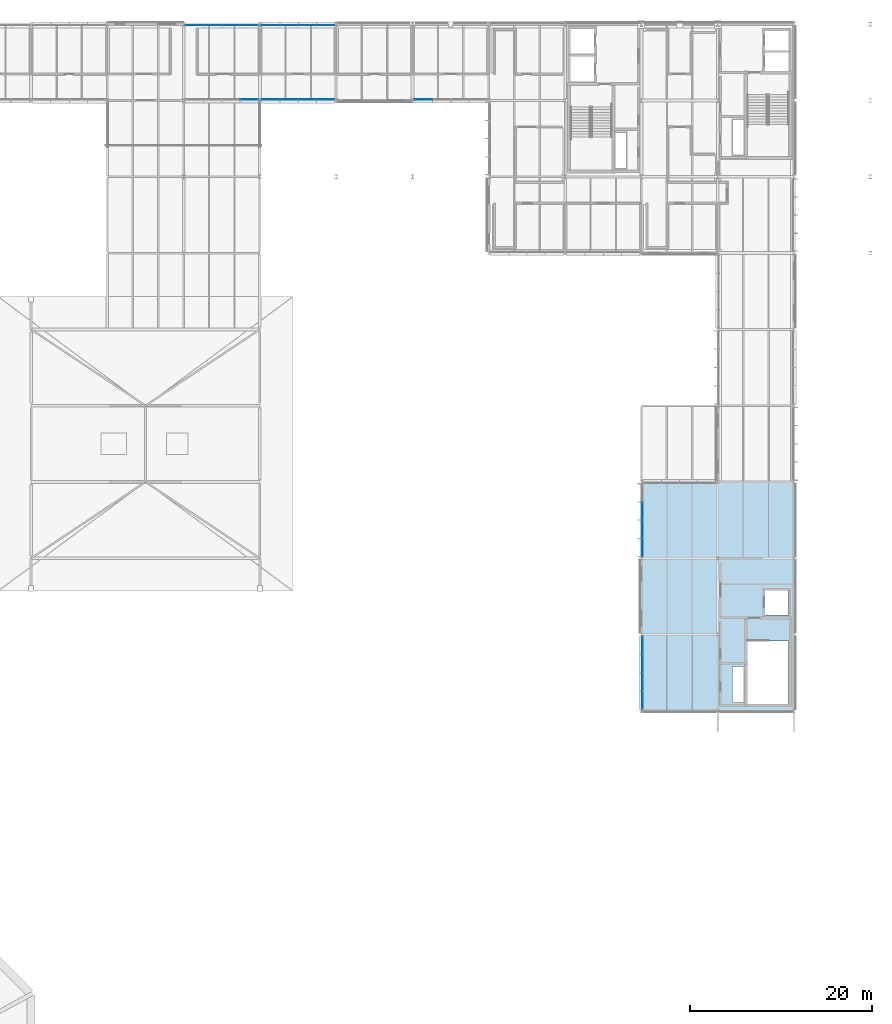
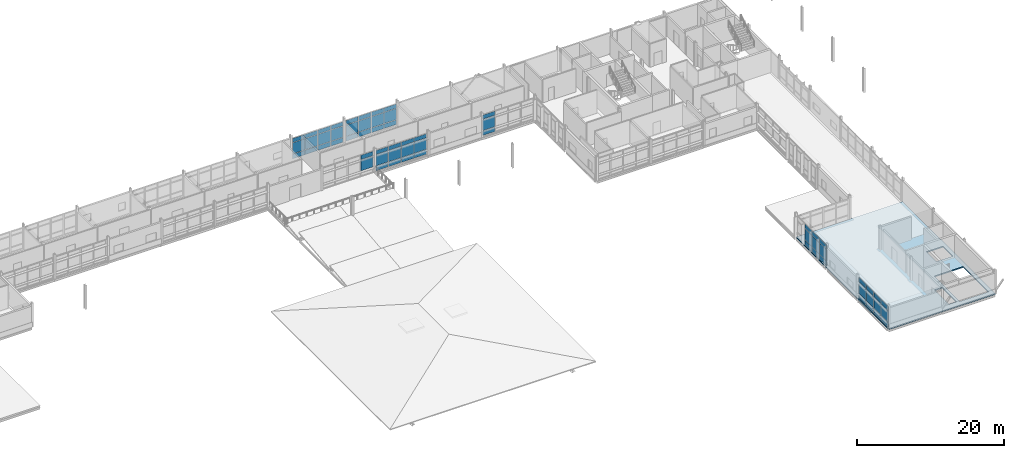
# One storey, part 47 of 66: 62 plates, 1 slab, 7 elements without a shape of their own.
"""IFC4 building model written with IfcOpenShell, lengths in metres."""

from ifc_helpers import new_model, si_unit, direction, frame, origin, origin_2d, place, context, subcontext, project, spatial, polyline, rectangle, outline, extrude, material, layer, layer_set, type_object, element, aggregate, save


model = new_model("IFC4")

# Units and contexts
model_context = context("Model", 3, precision=1e-05, world=origin(), true_north=direction((0.0, 1.0)))
body_context = subcontext(model_context, "Body", "Model", "MODEL_VIEW")
ifc_project = project(units=[si_unit("LENGTHUNIT", "METRE"), si_unit("AREAUNIT", "SQUARE_METRE"), si_unit("VOLUMEUNIT", "CUBIC_METRE"), si_unit("PLANEANGLEUNIT", "RADIAN"), si_unit("MASSUNIT", "GRAM", prefix="KILO")], contexts=[model_context])

# Site, building, storey
site_placement = place(None, origin())
site = spatial("IfcSite", under=ifc_project, at=site_placement, CompositionType="ELEMENT")
building_placement = place(site_placement, origin())
building = spatial("IfcBuilding", under=site, at=building_placement, Name="Mersafa Astral City Hall", CompositionType="ELEMENT")
storey_placement = place(building_placement, frame((0.0, 0.0, 22.050048828125)))
storey = spatial("IfcBuildingStorey", under=building, at=storey_placement, Name="L05", CompositionType="ELEMENT", Elevation=22.050048828125)

# Curtain wall, plates
ifc_material_1 = material(Name="Anodised bronze aluminium framing", Category="aluminium")
curtain_wall_type_1 = type_object("IfcCurtainWallType", Name="ENV-CW-1", PredefinedType="USERDEFINED", material=ifc_material_1)
curtain_wall_1_placement = place(storey_placement, origin())
curtain_wall_1 = element("IfcCurtainWall", 1, at=curtain_wall_1_placement, inside=storey, type_object=curtain_wall_type_1, Name="L05 Unitised solar curtain wall 240", ObjectType="UNITISED CURTAIN WALL", PredefinedType="USERDEFINED")
ifc_material_2 = material(Name="Solar control low-e double glazing", Category="glass")
ifc_layer_1 = layer(ifc_material_2, 0.028076171875, Name="Solar control low-e double glazing")
ifc_layer_set_1 = layer_set([ifc_layer_1], Name="Solar control low-e double glazing — ENV-CW-PNL-GLZ-1")
plate_type_1 = type_object("IfcPlateType", Name="ENV-CW-PNL-GLZ-1", PredefinedType="CURTAIN_PANEL", material=ifc_layer_set_1)
plate_1_placement = place(storey_placement, frame((118.78662109375, 117.719970703125, 0.05810546875), z_axis=(0.0, 0.0, 1.0), x_axis=(1.0, 0.0, 0.0)))
plate_1 = element("IfcPlate", 2, at=plate_1_placement, type_object=plate_type_1, Name="CW-1 panel 1.1", PredefinedType="CURTAIN_PANEL", context=body_context, shape_type="SweptSolid", body=[
    extrude(rectangle(XDim=1.928955078125, YDim=0.028076171875, at=origin_2d()), origin(), (0.0, 0.0, 1.0), 0.761962890625),
])
plate_2_placement = place(storey_placement, frame((118.78662109375, 117.719970703125, 0.8798828125), z_axis=(0.0, 0.0, 1.0), x_axis=(1.0, 0.0, 0.0)))
plate_2 = element("IfcPlate", 3, at=plate_2_placement, type_object=plate_type_1, Name="CW-1 panel 1.2", PredefinedType="CURTAIN_PANEL", context=body_context, shape_type="SweptSolid", body=[
    extrude(rectangle(XDim=1.928955078125, YDim=0.028076171875, at=origin_2d()), origin(), (0.0, 0.0, 1.0), 1.840087890625),
])
plate_3_placement = place(storey_placement, frame((118.78662109375, 117.719970703125, 2.77978515625), z_axis=(0.0, 0.0, 1.0), x_axis=(1.0, 0.0, 0.0)))
plate_3 = element("IfcPlate", 4, at=plate_3_placement, type_object=plate_type_1, Name="CW-1 panel 1.3", PredefinedType="CURTAIN_PANEL", context=body_context, shape_type="SweptSolid", body=[
    extrude(rectangle(XDim=1.928955078125, YDim=0.028076171875, at=origin_2d()), origin(), (0.0, 0.0, 1.0), 0.672119140625),
])
plate_4_placement = place(storey_placement, frame((120.79052734375, 117.719970703125, 0.05810546875), z_axis=(0.0, 0.0, 1.0), x_axis=(1.0, 0.0, 0.0)))
plate_4 = element("IfcPlate", 5, at=plate_4_placement, type_object=plate_type_1, Name="CW-1 panel 2.1", PredefinedType="CURTAIN_PANEL", context=body_context, shape_type="SweptSolid", body=[
    extrude(rectangle(XDim=1.958984375, YDim=0.028076171875, at=origin_2d()), origin(), (0.0, 0.0, 1.0), 0.761962890625),
])
plate_5_placement = place(storey_placement, frame((120.79052734375, 117.719970703125, 0.8798828125), z_axis=(0.0, 0.0, 1.0), x_axis=(1.0, 0.0, 0.0)))
plate_5 = element("IfcPlate", 6, at=plate_5_placement, type_object=plate_type_1, Name="CW-1 panel 2.2", PredefinedType="CURTAIN_PANEL", context=body_context, shape_type="SweptSolid", body=[
    extrude(rectangle(XDim=1.958984375, YDim=0.028076171875, at=origin_2d()), origin(), (0.0, 0.0, 1.0), 1.840087890625),
])
plate_6_placement = place(storey_placement, frame((120.79052734375, 117.719970703125, 2.77978515625), z_axis=(0.0, 0.0, 1.0), x_axis=(1.0, 0.0, 0.0)))
plate_6 = element("IfcPlate", 7, at=plate_6_placement, type_object=plate_type_1, Name="CW-1 panel 2.3", PredefinedType="CURTAIN_PANEL", context=body_context, shape_type="SweptSolid", body=[
    extrude(rectangle(XDim=1.958984375, YDim=0.028076171875, at=origin_2d()), origin(), (0.0, 0.0, 1.0), 0.672119140625),
])
plate_7_placement = place(storey_placement, frame((122.8095703125, 117.719970703125, 0.05810546875), z_axis=(0.0, 0.0, 1.0), x_axis=(1.0, 0.0, 0.0)))
plate_7 = element("IfcPlate", 8, at=plate_7_placement, type_object=plate_type_1, Name="CW-1 panel 3.1", PredefinedType="CURTAIN_PANEL", context=body_context, shape_type="SweptSolid", body=[
    extrude(rectangle(XDim=1.958984375, YDim=0.028076171875, at=origin_2d()), origin(), (0.0, 0.0, 1.0), 0.761962890625),
])
plate_8_placement = place(storey_placement, frame((122.8095703125, 117.719970703125, 0.8798828125), z_axis=(0.0, 0.0, 1.0), x_axis=(1.0, 0.0, 0.0)))
plate_8 = element("IfcPlate", 9, at=plate_8_placement, type_object=plate_type_1, Name="CW-1 panel 3.2", PredefinedType="CURTAIN_PANEL", context=body_context, shape_type="SweptSolid", body=[
    extrude(rectangle(XDim=1.958984375, YDim=0.028076171875, at=origin_2d()), origin(), (0.0, 0.0, 1.0), 1.840087890625),
])
plate_9_placement = place(storey_placement, frame((122.8095703125, 117.719970703125, 2.77978515625), z_axis=(0.0, 0.0, 1.0), x_axis=(1.0, 0.0, 0.0)))
plate_9 = element("IfcPlate", 10, at=plate_9_placement, type_object=plate_type_1, Name="CW-1 panel 3.3", PredefinedType="CURTAIN_PANEL", context=body_context, shape_type="SweptSolid", body=[
    extrude(rectangle(XDim=1.958984375, YDim=0.028076171875, at=origin_2d()), origin(), (0.0, 0.0, 1.0), 0.672119140625),
])
plate_10_placement = place(storey_placement, frame((124.8134765625, 117.719970703125, 0.05810546875), z_axis=(0.0, 0.0, 1.0), x_axis=(1.0, 0.0, 0.0)))
plate_10 = element("IfcPlate", 11, at=plate_10_placement, type_object=plate_type_1, Name="CW-1 panel 4.1", PredefinedType="CURTAIN_PANEL", context=body_context, shape_type="SweptSolid", body=[
    extrude(rectangle(XDim=1.928955078125, YDim=0.028076171875, at=origin_2d()), origin(), (0.0, 0.0, 1.0), 0.761962890625),
])
plate_11_placement = place(storey_placement, frame((124.8134765625, 117.719970703125, 0.8798828125), z_axis=(0.0, 0.0, 1.0), x_axis=(1.0, 0.0, 0.0)))
plate_11 = element("IfcPlate", 12, at=plate_11_placement, type_object=plate_type_1, Name="CW-1 panel 4.2", PredefinedType="CURTAIN_PANEL", context=body_context, shape_type="SweptSolid", body=[
    extrude(rectangle(XDim=1.928955078125, YDim=0.028076171875, at=origin_2d()), origin(), (0.0, 0.0, 1.0), 1.840087890625),
])
plate_12_placement = place(storey_placement, frame((124.8134765625, 117.719970703125, 2.77978515625), z_axis=(0.0, 0.0, 1.0), x_axis=(1.0, 0.0, 0.0)))
plate_12 = element("IfcPlate", 13, at=plate_12_placement, type_object=plate_type_1, Name="CW-1 panel 4.3", PredefinedType="CURTAIN_PANEL", context=body_context, shape_type="SweptSolid", body=[
    extrude(rectangle(XDim=1.928955078125, YDim=0.028076171875, at=origin_2d()), origin(), (0.0, 0.0, 1.0), 0.672119140625),
])
aggregate(curtain_wall_1, [plate_1, plate_2, plate_3, plate_4, plate_5, plate_6, plate_7, plate_8, plate_9, plate_10, plate_11, plate_12])

curtain_wall_type_2 = type_object("IfcCurtainWallType", Name="ENV-CW-3", PredefinedType="USERDEFINED", material=ifc_material_1)
curtain_wall_2_placement = place(storey_placement, origin())
curtain_wall_2 = element("IfcCurtainWall", 14, at=curtain_wall_2_placement, inside=storey, type_object=curtain_wall_type_2, Name="L05 Unitised solar curtain wall 248", ObjectType="UNITISED CURTAIN WALL", PredefinedType="USERDEFINED")
plate_13_placement = place(storey_placement, frame((159.719970703125, 72.409423828125, 0.05810546875), z_axis=(0.0, 0.0, 1.0), x_axis=(0.0, -1.0, 0.0)))
plate_13 = element("IfcPlate", 15, at=plate_13_placement, type_object=plate_type_1, Name="CW-3 panel 2.1", PredefinedType="CURTAIN_PANEL", context=body_context, shape_type="SweptSolid", body=[
    extrude(rectangle(XDim=1.958984375, YDim=0.028076171875, at=origin_2d()), origin(), (0.0, 0.0, 1.0), 0.761962890625),
])
plate_14_placement = place(storey_placement, frame((159.719970703125, 72.409423828125, 0.8798828125), z_axis=(0.0, 0.0, 1.0), x_axis=(0.0, -1.0, 0.0)))
plate_14 = element("IfcPlate", 16, at=plate_14_placement, type_object=plate_type_1, Name="CW-3 panel 2.2", PredefinedType="CURTAIN_PANEL", context=body_context, shape_type="SweptSolid", body=[
    extrude(rectangle(XDim=1.958984375, YDim=0.028076171875, at=origin_2d()), origin(), (0.0, 0.0, 1.0), 1.840087890625),
])
plate_15_placement = place(storey_placement, frame((159.719970703125, 72.409423828125, 2.77978515625), z_axis=(0.0, 0.0, 1.0), x_axis=(0.0, -1.0, 0.0)))
plate_15 = element("IfcPlate", 17, at=plate_15_placement, type_object=plate_type_1, Name="CW-3 panel 2.3", PredefinedType="CURTAIN_PANEL", context=body_context, shape_type="SweptSolid", body=[
    extrude(rectangle(XDim=1.958984375, YDim=0.028076171875, at=origin_2d()), origin(), (0.0, 0.0, 1.0), 0.737060546875),
])
plate_16_placement = place(storey_placement, frame((159.719970703125, 70.390380859375, 0.05810546875), z_axis=(0.0, 0.0, 1.0), x_axis=(0.0, -1.0, 0.0)))
plate_16 = element("IfcPlate", 18, at=plate_16_placement, type_object=plate_type_1, Name="CW-3 panel 3.1", PredefinedType="CURTAIN_PANEL", context=body_context, shape_type="SweptSolid", body=[
    extrude(rectangle(XDim=1.958984375, YDim=0.028076171875, at=origin_2d()), origin(), (0.0, 0.0, 1.0), 0.761962890625),
])
plate_17_placement = place(storey_placement, frame((159.719970703125, 70.390380859375, 0.8798828125), z_axis=(0.0, 0.0, 1.0), x_axis=(0.0, -1.0, 0.0)))
plate_17 = element("IfcPlate", 19, at=plate_17_placement, type_object=plate_type_1, Name="CW-3 panel 3.2", PredefinedType="CURTAIN_PANEL", context=body_context, shape_type="SweptSolid", body=[
    extrude(rectangle(XDim=1.958984375, YDim=0.028076171875, at=origin_2d()), origin(), (0.0, 0.0, 1.0), 1.840087890625),
])
plate_18_placement = place(storey_placement, frame((159.719970703125, 70.390380859375, 2.77978515625), z_axis=(0.0, 0.0, 1.0), x_axis=(0.0, -1.0, 0.0)))
plate_18 = element("IfcPlate", 20, at=plate_18_placement, type_object=plate_type_1, Name="CW-3 panel 3.3", PredefinedType="CURTAIN_PANEL", context=body_context, shape_type="SweptSolid", body=[
    extrude(rectangle(XDim=1.958984375, YDim=0.028076171875, at=origin_2d()), origin(), (0.0, 0.0, 1.0), 0.737060546875),
])
plate_19_placement = place(storey_placement, frame((159.719970703125, 68.386474609375, 0.05810546875), z_axis=(0.0, 0.0, 1.0), x_axis=(0.0, -1.0, 0.0)))
plate_19 = element("IfcPlate", 21, at=plate_19_placement, type_object=plate_type_1, Name="CW-3 panel 4.1", PredefinedType="CURTAIN_PANEL", context=body_context, shape_type="SweptSolid", body=[
    extrude(rectangle(XDim=1.928955078125, YDim=0.028076171875, at=origin_2d()), origin(), (0.0, 0.0, 1.0), 0.761962890625),
])
plate_20_placement = place(storey_placement, frame((159.719970703125, 68.386474609375, 0.8798828125), z_axis=(0.0, 0.0, 1.0), x_axis=(0.0, -1.0, 0.0)))
plate_20 = element("IfcPlate", 22, at=plate_20_placement, type_object=plate_type_1, Name="CW-3 panel 4.2", PredefinedType="CURTAIN_PANEL", context=body_context, shape_type="SweptSolid", body=[
    extrude(rectangle(XDim=1.928955078125, YDim=0.028076171875, at=origin_2d()), origin(), (0.0, 0.0, 1.0), 1.840087890625),
])
plate_21_placement = place(storey_placement, frame((159.719970703125, 68.386474609375, 2.77978515625), z_axis=(0.0, 0.0, 1.0), x_axis=(0.0, -1.0, 0.0)))
plate_21 = element("IfcPlate", 23, at=plate_21_placement, type_object=plate_type_1, Name="CW-3 panel 4.3", PredefinedType="CURTAIN_PANEL", context=body_context, shape_type="SweptSolid", body=[
    extrude(rectangle(XDim=1.928955078125, YDim=0.028076171875, at=origin_2d()), origin(), (0.0, 0.0, 1.0), 0.737060546875),
])
aggregate(curtain_wall_2, [plate_13, plate_14, plate_15, plate_16, plate_17, plate_18, plate_19, plate_20, plate_21])

curtain_wall_type_3 = type_object("IfcCurtainWallType", Name="ENV-CW-4", PredefinedType="USERDEFINED", material=ifc_material_1)
curtain_wall_3_placement = place(storey_placement, origin())
curtain_wall_3 = element("IfcCurtainWall", 24, at=curtain_wall_3_placement, inside=storey, type_object=curtain_wall_type_3, Name="L05 Unitised solar curtain wall 225", ObjectType="UNITISED CURTAIN WALL", PredefinedType="USERDEFINED")
ifc_layer_2 = layer(ifc_material_2, 0.031982421875, Name="Solar control low-e double glazing")
ifc_layer_set_2 = layer_set([ifc_layer_2], Name="Solar control low-e double glazing — ENV-CW-PNL-GLZ-2")
plate_type_2 = type_object("IfcPlateType", Name="ENV-CW-PNL-GLZ-2", PredefinedType="CURTAIN_PANEL", material=ifc_layer_set_2)
plate_22_placement = place(storey_placement, frame((159.719970703125, 57.613525390625, 0.05810546875), z_axis=(0.0, 0.0, 1.0), x_axis=(0.0, -1.0, 0.0)))
plate_22 = element("IfcPlate", 25, at=plate_22_placement, type_object=plate_type_2, Name="CW-4 panel 1.1", PredefinedType="CURTAIN_PANEL", context=body_context, shape_type="SweptSolid", body=[
    extrude(rectangle(XDim=1.928955078125, YDim=0.031982421875, at=origin_2d()), origin(), (0.0, 0.0, 1.0), 0.761962890625),
])
plate_23_placement = place(storey_placement, frame((159.719970703125, 57.613525390625, 0.8798828125), z_axis=(0.0, 0.0, 1.0), x_axis=(0.0, -1.0, 0.0)))
plate_23 = element("IfcPlate", 26, at=plate_23_placement, type_object=plate_type_2, Name="CW-4 panel 1.2", PredefinedType="CURTAIN_PANEL", context=body_context, shape_type="SweptSolid", body=[
    extrude(rectangle(XDim=1.928955078125, YDim=0.031982421875, at=origin_2d()), origin(), (0.0, 0.0, 1.0), 1.840087890625),
])
plate_24_placement = place(storey_placement, frame((159.719970703125, 57.613525390625, 2.77978515625), z_axis=(0.0, 0.0, 1.0), x_axis=(0.0, -1.0, 0.0)))
plate_24 = element("IfcPlate", 27, at=plate_24_placement, type_object=plate_type_2, Name="CW-4 panel 1.3", PredefinedType="CURTAIN_PANEL", context=body_context, shape_type="SweptSolid", body=[
    extrude(rectangle(XDim=1.928955078125, YDim=0.031982421875, at=origin_2d()), origin(), (0.0, 0.0, 1.0), 0.737060546875),
])
plate_25_placement = place(storey_placement, frame((159.719970703125, 55.609619140625, 0.05810546875), z_axis=(0.0, 0.0, 1.0), x_axis=(0.0, -1.0, 0.0)))
plate_25 = element("IfcPlate", 28, at=plate_25_placement, type_object=plate_type_2, Name="CW-4 panel 2.1", PredefinedType="CURTAIN_PANEL", context=body_context, shape_type="SweptSolid", body=[
    extrude(rectangle(XDim=1.958984375, YDim=0.031982421875, at=origin_2d()), origin(), (0.0, 0.0, 1.0), 0.761962890625),
])
plate_26_placement = place(storey_placement, frame((159.719970703125, 55.609619140625, 0.8798828125), z_axis=(0.0, 0.0, 1.0), x_axis=(0.0, -1.0, 0.0)))
plate_26 = element("IfcPlate", 29, at=plate_26_placement, type_object=plate_type_2, Name="CW-4 panel 2.2", PredefinedType="CURTAIN_PANEL", context=body_context, shape_type="SweptSolid", body=[
    extrude(rectangle(XDim=1.958984375, YDim=0.031982421875, at=origin_2d()), origin(), (0.0, 0.0, 1.0), 1.840087890625),
])
plate_27_placement = place(storey_placement, frame((159.719970703125, 55.609619140625, 2.77978515625), z_axis=(0.0, 0.0, 1.0), x_axis=(0.0, -1.0, 0.0)))
plate_27 = element("IfcPlate", 30, at=plate_27_placement, type_object=plate_type_2, Name="CW-4 panel 2.3", PredefinedType="CURTAIN_PANEL", context=body_context, shape_type="SweptSolid", body=[
    extrude(rectangle(XDim=1.958984375, YDim=0.031982421875, at=origin_2d()), origin(), (0.0, 0.0, 1.0), 0.737060546875),
])
plate_28_placement = place(storey_placement, frame((159.719970703125, 53.590576171875, 0.05810546875), z_axis=(0.0, 0.0, 1.0), x_axis=(0.0, -1.0, 0.0)))
plate_28 = element("IfcPlate", 31, at=plate_28_placement, type_object=plate_type_2, Name="CW-4 panel 3.1", PredefinedType="CURTAIN_PANEL", context=body_context, shape_type="SweptSolid", body=[
    extrude(rectangle(XDim=1.958984375, YDim=0.031982421875, at=origin_2d()), origin(), (0.0, 0.0, 1.0), 0.761962890625),
])
plate_29_placement = place(storey_placement, frame((159.719970703125, 53.590576171875, 0.8798828125), z_axis=(0.0, 0.0, 1.0), x_axis=(0.0, -1.0, 0.0)))
plate_29 = element("IfcPlate", 32, at=plate_29_placement, type_object=plate_type_2, Name="CW-4 panel 3.2", PredefinedType="CURTAIN_PANEL", context=body_context, shape_type="SweptSolid", body=[
    extrude(rectangle(XDim=1.958984375, YDim=0.031982421875, at=origin_2d()), origin(), (0.0, 0.0, 1.0), 1.840087890625),
])
plate_30_placement = place(storey_placement, frame((159.719970703125, 53.590576171875, 2.77978515625), z_axis=(0.0, 0.0, 1.0), x_axis=(0.0, -1.0, 0.0)))
plate_30 = element("IfcPlate", 33, at=plate_30_placement, type_object=plate_type_2, Name="CW-4 panel 3.3", PredefinedType="CURTAIN_PANEL", context=body_context, shape_type="SweptSolid", body=[
    extrude(rectangle(XDim=1.958984375, YDim=0.031982421875, at=origin_2d()), origin(), (0.0, 0.0, 1.0), 0.737060546875),
])
plate_31_placement = place(storey_placement, frame((159.719970703125, 51.58642578125, 0.05810546875), z_axis=(0.0, 0.0, 1.0), x_axis=(0.0, -1.0, 0.0)))
plate_31 = element("IfcPlate", 34, at=plate_31_placement, type_object=plate_type_2, Name="CW-4 panel 4.1", PredefinedType="CURTAIN_PANEL", context=body_context, shape_type="SweptSolid", body=[
    extrude(rectangle(XDim=1.928955078125, YDim=0.031982421875, at=origin_2d()), origin(), (0.0, 0.0, 1.0), 0.761962890625),
])
plate_32_placement = place(storey_placement, frame((159.719970703125, 51.58642578125, 0.8798828125), z_axis=(0.0, 0.0, 1.0), x_axis=(0.0, -1.0, 0.0)))
plate_32 = element("IfcPlate", 35, at=plate_32_placement, type_object=plate_type_2, Name="CW-4 panel 4.2", PredefinedType="CURTAIN_PANEL", context=body_context, shape_type="SweptSolid", body=[
    extrude(rectangle(XDim=1.928955078125, YDim=0.031982421875, at=origin_2d()), origin(), (0.0, 0.0, 1.0), 1.840087890625),
])
plate_33_placement = place(storey_placement, frame((159.719970703125, 51.58642578125, 2.77978515625), z_axis=(0.0, 0.0, 1.0), x_axis=(0.0, -1.0, 0.0)))
plate_33 = element("IfcPlate", 36, at=plate_33_placement, type_object=plate_type_2, Name="CW-4 panel 4.3", PredefinedType="CURTAIN_PANEL", context=body_context, shape_type="SweptSolid", body=[
    extrude(rectangle(XDim=1.928955078125, YDim=0.031982421875, at=origin_2d()), origin(), (0.0, 0.0, 1.0), 0.737060546875),
])
aggregate(curtain_wall_3, [plate_22, plate_23, plate_24, plate_25, plate_26, plate_27, plate_28, plate_29, plate_30, plate_31, plate_32, plate_33])

curtain_wall_type_4 = type_object("IfcCurtainWallType", Name="ENV-CW-2", PredefinedType="USERDEFINED", material=ifc_material_1)
curtain_wall_4_placement = place(storey_placement, origin())
curtain_wall_4 = element("IfcCurtainWall", 37, at=curtain_wall_4_placement, inside=storey, type_object=curtain_wall_type_4, Name="L05 Unitised solar curtain wall 229", ObjectType="UNITISED CURTAIN WALL", PredefinedType="USERDEFINED")
plate_34_placement = place(storey_placement, frame((124.8134765625, 125.8798828125, 0.05810546875), z_axis=(0.0, 0.0, 1.0), x_axis=(-1.0, 0.0, 0.0)))
plate_34 = element("IfcPlate", 38, at=plate_34_placement, type_object=plate_type_2, Name="CW-2 panel 1.1", PredefinedType="CURTAIN_PANEL", context=body_context, shape_type="SweptSolid", body=[
    extrude(rectangle(XDim=1.928955078125, YDim=0.031982421875, at=origin_2d()), origin(), (0.0, 0.0, 1.0), 0.761962890625),
])
plate_35_placement = place(storey_placement, frame((124.8134765625, 125.8798828125, 0.8798828125), z_axis=(0.0, 0.0, 1.0), x_axis=(-1.0, 0.0, 0.0)))
plate_35 = element("IfcPlate", 39, at=plate_35_placement, type_object=plate_type_2, Name="CW-2 panel 1.2", PredefinedType="CURTAIN_PANEL", context=body_context, shape_type="SweptSolid", body=[
    extrude(rectangle(XDim=1.928955078125, YDim=0.031982421875, at=origin_2d()), origin(), (0.0, 0.0, 1.0), 1.840087890625),
])
plate_36_placement = place(storey_placement, frame((124.8134765625, 125.8798828125, 2.77978515625), z_axis=(0.0, 0.0, 1.0), x_axis=(-1.0, 0.0, 0.0)))
plate_36 = element("IfcPlate", 40, at=plate_36_placement, type_object=plate_type_2, Name="CW-2 panel 1.3", PredefinedType="CURTAIN_PANEL", context=body_context, shape_type="SweptSolid", body=[
    extrude(rectangle(XDim=1.928955078125, YDim=0.031982421875, at=origin_2d()), origin(), (0.0, 0.0, 1.0), 0.701904296875),
])
plate_37_placement = place(storey_placement, frame((122.8095703125, 125.8798828125, 0.05810546875), z_axis=(0.0, 0.0, 1.0), x_axis=(-1.0, 0.0, 0.0)))
plate_37 = element("IfcPlate", 41, at=plate_37_placement, type_object=plate_type_2, Name="CW-2 panel 2.1", PredefinedType="CURTAIN_PANEL", context=body_context, shape_type="SweptSolid", body=[
    extrude(rectangle(XDim=1.958984375, YDim=0.031982421875, at=origin_2d()), origin(), (0.0, 0.0, 1.0), 0.761962890625),
])
plate_38_placement = place(storey_placement, frame((122.8095703125, 125.8798828125, 0.8798828125), z_axis=(0.0, 0.0, 1.0), x_axis=(-1.0, 0.0, 0.0)))
plate_38 = element("IfcPlate", 42, at=plate_38_placement, type_object=plate_type_2, Name="CW-2 panel 2.2", PredefinedType="CURTAIN_PANEL", context=body_context, shape_type="SweptSolid", body=[
    extrude(rectangle(XDim=1.958984375, YDim=0.031982421875, at=origin_2d()), origin(), (0.0, 0.0, 1.0), 1.840087890625),
])
plate_39_placement = place(storey_placement, frame((122.8095703125, 125.8798828125, 2.77978515625), z_axis=(0.0, 0.0, 1.0), x_axis=(-1.0, 0.0, 0.0)))
plate_39 = element("IfcPlate", 43, at=plate_39_placement, type_object=plate_type_2, Name="CW-2 panel 2.3", PredefinedType="CURTAIN_PANEL", context=body_context, shape_type="SweptSolid", body=[
    extrude(rectangle(XDim=1.958984375, YDim=0.031982421875, at=origin_2d()), origin(), (0.0, 0.0, 1.0), 0.701904296875),
])
plate_40_placement = place(storey_placement, frame((120.79052734375, 125.8798828125, 0.05810546875), z_axis=(0.0, 0.0, 1.0), x_axis=(-1.0, 0.0, 0.0)))
plate_40 = element("IfcPlate", 44, at=plate_40_placement, type_object=plate_type_2, Name="CW-2 panel 3.1", PredefinedType="CURTAIN_PANEL", context=body_context, shape_type="SweptSolid", body=[
    extrude(rectangle(XDim=1.958984375, YDim=0.031982421875, at=origin_2d()), origin(), (0.0, 0.0, 1.0), 0.761962890625),
])
plate_41_placement = place(storey_placement, frame((120.79052734375, 125.8798828125, 0.8798828125), z_axis=(0.0, 0.0, 1.0), x_axis=(-1.0, 0.0, 0.0)))
plate_41 = element("IfcPlate", 45, at=plate_41_placement, type_object=plate_type_2, Name="CW-2 panel 3.2", PredefinedType="CURTAIN_PANEL", context=body_context, shape_type="SweptSolid", body=[
    extrude(rectangle(XDim=1.958984375, YDim=0.031982421875, at=origin_2d()), origin(), (0.0, 0.0, 1.0), 1.840087890625),
])
plate_42_placement = place(storey_placement, frame((120.79052734375, 125.8798828125, 2.77978515625), z_axis=(0.0, 0.0, 1.0), x_axis=(-1.0, 0.0, 0.0)))
plate_42 = element("IfcPlate", 46, at=plate_42_placement, type_object=plate_type_2, Name="CW-2 panel 3.3", PredefinedType="CURTAIN_PANEL", context=body_context, shape_type="SweptSolid", body=[
    extrude(rectangle(XDim=1.958984375, YDim=0.031982421875, at=origin_2d()), origin(), (0.0, 0.0, 1.0), 0.701904296875),
])
plate_43_placement = place(storey_placement, frame((118.78662109375, 125.8798828125, 0.05810546875), z_axis=(0.0, 0.0, 1.0), x_axis=(-1.0, 0.0, 0.0)))
plate_43 = element("IfcPlate", 47, at=plate_43_placement, type_object=plate_type_2, Name="CW-2 panel 4.1", PredefinedType="CURTAIN_PANEL", context=body_context, shape_type="SweptSolid", body=[
    extrude(rectangle(XDim=1.928955078125, YDim=0.031982421875, at=origin_2d()), origin(), (0.0, 0.0, 1.0), 0.761962890625),
])
plate_44_placement = place(storey_placement, frame((118.78662109375, 125.8798828125, 0.8798828125), z_axis=(0.0, 0.0, 1.0), x_axis=(-1.0, 0.0, 0.0)))
plate_44 = element("IfcPlate", 48, at=plate_44_placement, type_object=plate_type_2, Name="CW-2 panel 4.2", PredefinedType="CURTAIN_PANEL", context=body_context, shape_type="SweptSolid", body=[
    extrude(rectangle(XDim=1.928955078125, YDim=0.031982421875, at=origin_2d()), origin(), (0.0, 0.0, 1.0), 1.840087890625),
])
plate_45_placement = place(storey_placement, frame((118.78662109375, 125.8798828125, 2.77978515625), z_axis=(0.0, 0.0, 1.0), x_axis=(-1.0, 0.0, 0.0)))
plate_45 = element("IfcPlate", 49, at=plate_45_placement, type_object=plate_type_2, Name="CW-2 panel 4.3", PredefinedType="CURTAIN_PANEL", context=body_context, shape_type="SweptSolid", body=[
    extrude(rectangle(XDim=1.928955078125, YDim=0.031982421875, at=origin_2d()), origin(), (0.0, 0.0, 1.0), 0.701904296875),
])
aggregate(curtain_wall_4, [plate_34, plate_35, plate_36, plate_37, plate_38, plate_39, plate_40, plate_41, plate_42, plate_43, plate_44, plate_45])

curtain_wall_5_placement = place(storey_placement, origin())
curtain_wall_5 = element("IfcCurtainWall", 50, at=curtain_wall_5_placement, inside=storey, type_object=curtain_wall_type_4, Name="L05 Unitised solar curtain wall 241", ObjectType="UNITISED CURTAIN WALL", PredefinedType="USERDEFINED")
plate_46_placement = place(storey_placement, frame((135.58642578125, 117.719970703125, 0.05810546875), z_axis=(0.0, 0.0, 1.0), x_axis=(1.0, 0.0, 0.0)))
plate_46 = element("IfcPlate", 51, at=plate_46_placement, type_object=plate_type_2, Name="CW-2 panel 1.1", PredefinedType="CURTAIN_PANEL", context=body_context, shape_type="SweptSolid", body=[
    extrude(rectangle(XDim=1.928955078125, YDim=0.031982421875, at=origin_2d()), origin(), (0.0, 0.0, 1.0), 0.761962890625),
])
plate_47_placement = place(storey_placement, frame((135.58642578125, 117.719970703125, 0.8798828125), z_axis=(0.0, 0.0, 1.0), x_axis=(1.0, 0.0, 0.0)))
plate_47 = element("IfcPlate", 52, at=plate_47_placement, type_object=plate_type_2, Name="CW-2 panel 1.2", PredefinedType="CURTAIN_PANEL", context=body_context, shape_type="SweptSolid", body=[
    extrude(rectangle(XDim=1.928955078125, YDim=0.031982421875, at=origin_2d()), origin(), (0.0, 0.0, 1.0), 1.840087890625),
])
plate_48_placement = place(storey_placement, frame((135.58642578125, 117.719970703125, 2.77978515625), z_axis=(0.0, 0.0, 1.0), x_axis=(1.0, 0.0, 0.0)))
plate_48 = element("IfcPlate", 53, at=plate_48_placement, type_object=plate_type_2, Name="CW-2 panel 1.3", PredefinedType="CURTAIN_PANEL", context=body_context, shape_type="SweptSolid", body=[
    extrude(rectangle(XDim=1.928955078125, YDim=0.031982421875, at=origin_2d()), origin(), (0.0, 0.0, 1.0), 0.672119140625),
])
aggregate(curtain_wall_5, [plate_46, plate_47, plate_48])

curtain_wall_6_placement = place(storey_placement, origin())
curtain_wall_6 = element("IfcCurtainWall", 54, at=curtain_wall_6_placement, inside=storey, type_object=curtain_wall_type_2, Name="L05 Unitised solar curtain wall 230", ObjectType="UNITISED CURTAIN WALL", PredefinedType="USERDEFINED")
ifc_layer_3 = layer(ifc_material_2, 0.035888671875, Name="Solar control low-e double glazing")
ifc_layer_set_3 = layer_set([ifc_layer_3], Name="Solar control low-e double glazing — ENV-CW-PNL-GLZ-3")
plate_type_3 = type_object("IfcPlateType", Name="ENV-CW-PNL-GLZ-3", PredefinedType="CURTAIN_PANEL", material=ifc_layer_set_3)
plate_49_placement = place(storey_placement, frame((116.41357421875, 125.8798828125, 0.05810546875), z_axis=(0.0, 0.0, 1.0), x_axis=(-1.0, 0.0, 0.0)))
plate_49 = element("IfcPlate", 55, at=plate_49_placement, type_object=plate_type_3, Name="CW-3 panel 1.1", PredefinedType="CURTAIN_PANEL", context=body_context, shape_type="SweptSolid", body=[
    extrude(rectangle(XDim=1.928955078125, YDim=0.035888671875, at=origin_2d()), origin(), (0.0, 0.0, 1.0), 0.761962890625),
])
plate_50_placement = place(storey_placement, frame((116.41357421875, 125.8798828125, 0.8798828125), z_axis=(0.0, 0.0, 1.0), x_axis=(-1.0, 0.0, 0.0)))
plate_50 = element("IfcPlate", 56, at=plate_50_placement, type_object=plate_type_3, Name="CW-3 panel 1.2", PredefinedType="CURTAIN_PANEL", context=body_context, shape_type="SweptSolid", body=[
    extrude(rectangle(XDim=1.928955078125, YDim=0.035888671875, at=origin_2d()), origin(), (0.0, 0.0, 1.0), 1.840087890625),
])
plate_51_placement = place(storey_placement, frame((116.41357421875, 125.8798828125, 2.77978515625), z_axis=(0.0, 0.0, 1.0), x_axis=(-1.0, 0.0, 0.0)))
plate_51 = element("IfcPlate", 57, at=plate_51_placement, type_object=plate_type_3, Name="CW-3 panel 1.3", PredefinedType="CURTAIN_PANEL", context=body_context, shape_type="SweptSolid", body=[
    extrude(rectangle(XDim=1.928955078125, YDim=0.035888671875, at=origin_2d()), origin(), (0.0, 0.0, 1.0), 0.672119140625),
])
plate_52_placement = place(storey_placement, frame((114.409423828125, 125.8798828125, 0.05810546875), z_axis=(0.0, 0.0, 1.0), x_axis=(-1.0, 0.0, 0.0)))
plate_52 = element("IfcPlate", 58, at=plate_52_placement, type_object=plate_type_3, Name="CW-3 panel 2.1", PredefinedType="CURTAIN_PANEL", context=body_context, shape_type="SweptSolid", body=[
    extrude(rectangle(XDim=1.958984375, YDim=0.035888671875, at=origin_2d()), origin(), (0.0, 0.0, 1.0), 0.761962890625),
])
plate_53_placement = place(storey_placement, frame((114.409423828125, 125.8798828125, 0.8798828125), z_axis=(0.0, 0.0, 1.0), x_axis=(-1.0, 0.0, 0.0)))
plate_53 = element("IfcPlate", 59, at=plate_53_placement, type_object=plate_type_3, Name="CW-3 panel 2.2", PredefinedType="CURTAIN_PANEL", context=body_context, shape_type="SweptSolid", body=[
    extrude(rectangle(XDim=1.958984375, YDim=0.035888671875, at=origin_2d()), origin(), (0.0, 0.0, 1.0), 1.840087890625),
])
plate_54_placement = place(storey_placement, frame((114.409423828125, 125.8798828125, 2.77978515625), z_axis=(0.0, 0.0, 1.0), x_axis=(-1.0, 0.0, 0.0)))
plate_54 = element("IfcPlate", 60, at=plate_54_placement, type_object=plate_type_3, Name="CW-3 panel 2.3", PredefinedType="CURTAIN_PANEL", context=body_context, shape_type="SweptSolid", body=[
    extrude(rectangle(XDim=1.958984375, YDim=0.035888671875, at=origin_2d()), origin(), (0.0, 0.0, 1.0), 0.672119140625),
])
plate_55_placement = place(storey_placement, frame((112.390380859375, 125.8798828125, 0.05810546875), z_axis=(0.0, 0.0, 1.0), x_axis=(-1.0, 0.0, 0.0)))
plate_55 = element("IfcPlate", 61, at=plate_55_placement, type_object=plate_type_3, Name="CW-3 panel 3.1", PredefinedType="CURTAIN_PANEL", context=body_context, shape_type="SweptSolid", body=[
    extrude(rectangle(XDim=1.958984375, YDim=0.035888671875, at=origin_2d()), origin(), (0.0, 0.0, 1.0), 0.761962890625),
])
plate_56_placement = place(storey_placement, frame((112.390380859375, 125.8798828125, 0.8798828125), z_axis=(0.0, 0.0, 1.0), x_axis=(-1.0, 0.0, 0.0)))
plate_56 = element("IfcPlate", 62, at=plate_56_placement, type_object=plate_type_3, Name="CW-3 panel 3.2", PredefinedType="CURTAIN_PANEL", context=body_context, shape_type="SweptSolid", body=[
    extrude(rectangle(XDim=1.958984375, YDim=0.035888671875, at=origin_2d()), origin(), (0.0, 0.0, 1.0), 1.840087890625),
])
plate_57_placement = place(storey_placement, frame((112.390380859375, 125.8798828125, 2.77978515625), z_axis=(0.0, 0.0, 1.0), x_axis=(-1.0, 0.0, 0.0)))
plate_57 = element("IfcPlate", 63, at=plate_57_placement, type_object=plate_type_3, Name="CW-3 panel 3.3", PredefinedType="CURTAIN_PANEL", context=body_context, shape_type="SweptSolid", body=[
    extrude(rectangle(XDim=1.958984375, YDim=0.035888671875, at=origin_2d()), origin(), (0.0, 0.0, 1.0), 0.672119140625),
])
plate_58_placement = place(storey_placement, frame((110.386474609375, 125.8798828125, 0.05810546875), z_axis=(0.0, 0.0, 1.0), x_axis=(-1.0, 0.0, 0.0)))
plate_58 = element("IfcPlate", 64, at=plate_58_placement, type_object=plate_type_3, Name="CW-3 panel 4.1", PredefinedType="CURTAIN_PANEL", context=body_context, shape_type="SweptSolid", body=[
    extrude(rectangle(XDim=1.928955078125, YDim=0.035888671875, at=origin_2d()), origin(), (0.0, 0.0, 1.0), 0.761962890625),
])
plate_59_placement = place(storey_placement, frame((110.386474609375, 125.8798828125, 0.8798828125), z_axis=(0.0, 0.0, 1.0), x_axis=(-1.0, 0.0, 0.0)))
plate_59 = element("IfcPlate", 65, at=plate_59_placement, type_object=plate_type_3, Name="CW-3 panel 4.2", PredefinedType="CURTAIN_PANEL", context=body_context, shape_type="SweptSolid", body=[
    extrude(rectangle(XDim=1.928955078125, YDim=0.035888671875, at=origin_2d()), origin(), (0.0, 0.0, 1.0), 1.840087890625),
])
plate_60_placement = place(storey_placement, frame((110.386474609375, 125.8798828125, 2.77978515625), z_axis=(0.0, 0.0, 1.0), x_axis=(-1.0, 0.0, 0.0)))
plate_60 = element("IfcPlate", 66, at=plate_60_placement, type_object=plate_type_3, Name="CW-3 panel 4.3", PredefinedType="CURTAIN_PANEL", context=body_context, shape_type="SweptSolid", body=[
    extrude(rectangle(XDim=1.928955078125, YDim=0.035888671875, at=origin_2d()), origin(), (0.0, 0.0, 1.0), 0.672119140625),
])
aggregate(curtain_wall_6, [plate_49, plate_50, plate_51, plate_52, plate_53, plate_54, plate_55, plate_56, plate_57, plate_58, plate_59, plate_60])

curtain_wall_type_5 = type_object("IfcCurtainWallType", Name="ENV-CW-6", PredefinedType="USERDEFINED", material=ifc_material_1)
curtain_wall_7_placement = place(storey_placement, origin())
curtain_wall_7 = element("IfcCurtainWall", 67, at=curtain_wall_7_placement, inside=storey, type_object=curtain_wall_type_5, Name="L05 Unitised solar curtain wall 239", ObjectType="UNITISED CURTAIN WALL", PredefinedType="USERDEFINED")
ifc_layer_4 = layer(ifc_material_2, 0.0400390625, Name="Solar control low-e double glazing")
ifc_layer_set_4 = layer_set([ifc_layer_4], Name="Solar control low-e double glazing — ENV-CW-PNL-GLZ-4")
plate_type_4 = type_object("IfcPlateType", Name="ENV-CW-PNL-GLZ-4", PredefinedType="CURTAIN_PANEL", material=ifc_layer_set_4)
plate_61_placement = place(storey_placement, frame((116.41357421875, 117.719970703125, 0.8798828125), z_axis=(0.0, 0.0, 1.0), x_axis=(1.0, 0.0, 0.0)))
plate_61 = element("IfcPlate", 68, at=plate_61_placement, type_object=plate_type_4, Name="CW-6 panel 4.2", PredefinedType="CURTAIN_PANEL", context=body_context, shape_type="SweptSolid", body=[
    extrude(rectangle(XDim=1.928955078125, YDim=0.0400390625, at=origin_2d()), origin(), (0.0, 0.0, 1.0), 1.840087890625),
])
plate_62_placement = place(storey_placement, frame((116.41357421875, 117.719970703125, 2.77978515625), z_axis=(0.0, 0.0, 1.0), x_axis=(1.0, 0.0, 0.0)))
plate_62 = element("IfcPlate", 69, at=plate_62_placement, type_object=plate_type_4, Name="CW-6 panel 4.3", PredefinedType="CURTAIN_PANEL", context=body_context, shape_type="SweptSolid", body=[
    extrude(rectangle(XDim=1.928955078125, YDim=0.0400390625, at=origin_2d()), origin(), (0.0, 0.0, 1.0), 0.701904296875),
])
aggregate(curtain_wall_7, [plate_61, plate_62])

# Slab
ifc_material_3 = material(Name="Concrete C35/45", Category="concrete")
ifc_layer_5 = layer(ifc_material_3, 0.179931640625, Name="Concrete C35/45")
ifc_layer_set_5 = layer_set([ifc_layer_5], Name="Concrete C35/45 — STR-SLAB-FLR-180")
slab_type = type_object("IfcSlabType", Name="STR-SLAB-FLR-180", PredefinedType="FLOOR", material=ifc_layer_set_5)
slab_placement = place(storey_placement, frame((0.0, 0.0, -0.179931640625)))
element("IfcSlab", 70, at=slab_placement, inside=storey, type_object=slab_type, Name="L05 V5 structural floor slab 1", PredefinedType="FLOOR", context=body_context, shape_type="SweptSolid", body=[
    extrude(outline(polyline([(159.60009765625, 67.199951171875), (159.60009765625, 75.60009765625), (168.0, 75.60009765625), (176.39990234375, 75.60009765625), (176.39990234375, 67.199951171875), (176.39990234375, 58.800048828125), (176.39990234375, 50.39990234375), (168.0, 50.39990234375), (159.60009765625, 50.39990234375), (159.60009765625, 58.800048828125), (159.60009765625, 67.199951171875)]), holes=[polyline([(170.85009765625, 55.25), (169.669921875, 55.25), (169.669921875, 51.35009765625), (170.85009765625, 51.35009765625), (170.85009765625, 55.25)]), polyline([(171.260009765625, 51.14990234375), (175.820068359375, 51.14990234375), (175.820068359375, 58.10009765625), (171.260009765625, 58.10009765625), (171.260009765625, 51.14990234375)]), polyline([(175.820068359375, 63.64990234375), (173.219970703125, 63.64990234375), (173.219970703125, 60.949951171875), (175.820068359375, 60.949951171875), (175.820068359375, 63.64990234375)])]), origin(), (0.0, 0.0, 1.0), 0.179931640625),
])

save(model, "model.ifc")
